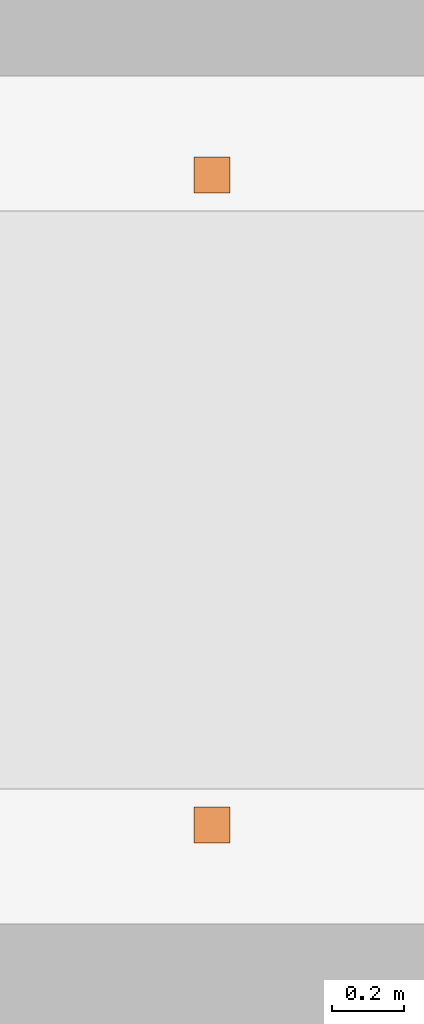
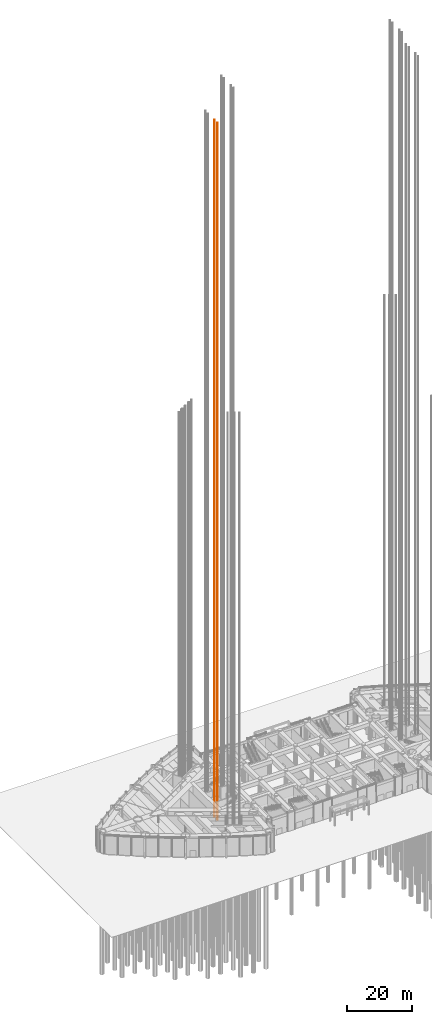
# One storey, part 32 of 43: 1 proxy.
"""IFC4 building model written with IfcOpenShell, lengths in metres."""

from ifc_helpers import new_model, si_unit, direction, frame, origin, origin_2d, place, context, subcontext, project, spatial, rectangle, extrude, material, type_object, element, save


model = new_model("IFC4")

# Units and contexts
model_context = context("Model", 3, precision=1e-05, world=origin(), true_north=direction((0.0, 1.0)))
body_context = subcontext(model_context, "Body", "Model", "MODEL_VIEW")
ifc_project = project(units=[si_unit("LENGTHUNIT", "METRE"), si_unit("AREAUNIT", "SQUARE_METRE"), si_unit("VOLUMEUNIT", "CUBIC_METRE"), si_unit("PLANEANGLEUNIT", "RADIAN"), si_unit("MASSUNIT", "GRAM", prefix="KILO")], contexts=[model_context])

# Site, building, storey
site_placement = place(None, origin())
site = spatial("IfcSite", under=ifc_project, at=site_placement, CompositionType="ELEMENT")
building_placement = place(site_placement, origin())
building = spatial("IfcBuilding", under=site, at=building_placement, Name="Lancet Gate Hotel", CompositionType="ELEMENT")
storey_placement = place(building_placement, origin())
storey = spatial("IfcBuildingStorey", under=building, at=storey_placement, Name="L00", CompositionType="ELEMENT", Elevation=0.0)

# Proxy
ifc_material = material(Name="Steel S355", Category="steel")
building_element_proxy_type = type_object("IfcBuildingElementProxyType", Name="Lift guide rails", PredefinedType="USERDEFINED", material=ifc_material)
proxy_placement = place(storey_placement, frame((-35.47509765625, -2.824951171875, 0.0), z_axis=(0.0, 0.0, 1.0), x_axis=(1.0, 0.0, 0.0)))
element("IfcBuildingElementProxy", 1, at=proxy_placement, inside=storey, type_object=building_element_proxy_type, Name="T1-OL4 guide rails", ObjectType="LIFT GUIDE RAILS", PredefinedType="USERDEFINED", context=body_context, shape_type="SweptSolid", body=[
    extrude(rectangle(XDim=0.1, YDim=0.1, at=origin_2d()), frame((0.0, -0.89990234375, 0.0)), (0.0, 0.0, 1.0), 260.300048828125),
    extrude(rectangle(XDim=0.1, YDim=0.1, at=origin_2d()), frame((0.0, 0.89990234375, 0.0)), (0.0, 0.0, 1.0), 260.300048828125),
])

save(model, "model.ifc")
